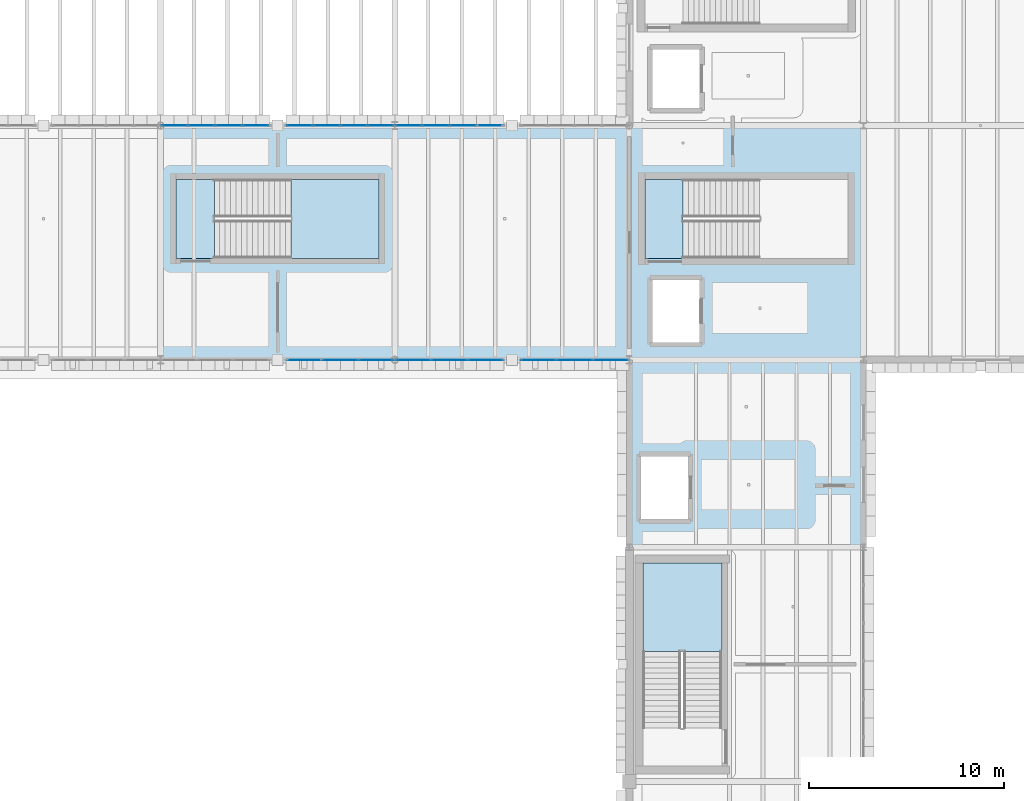
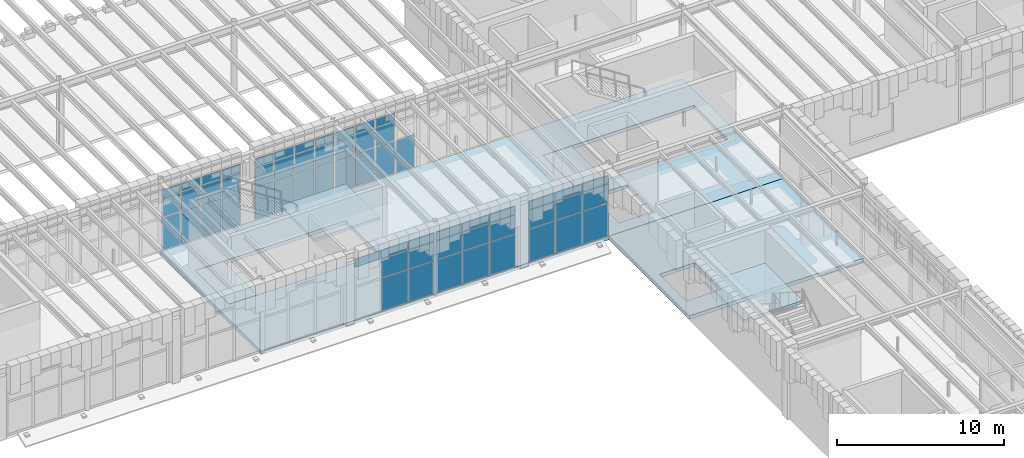
# One storey, part 52 of 100: 59 plates, 6 slabs, 8 elements without a shape of their own.
"""IFC4 building model written with IfcOpenShell, lengths in metres."""

from ifc_helpers import new_model, si_unit, direction, frame, origin, origin_2d, place, context, subcontext, project, spatial, polyline, rectangle, outline, extrude, material, layer, layer_set, type_object, element, aggregate, save


model = new_model("IFC4")

# Units and contexts
model_context = context("Model", 3, precision=1e-05, world=origin(), true_north=direction((0.0, 1.0)))
body_context = subcontext(model_context, "Body", "Model", "MODEL_VIEW")
ifc_project = project(units=[si_unit("LENGTHUNIT", "METRE"), si_unit("AREAUNIT", "SQUARE_METRE"), si_unit("VOLUMEUNIT", "CUBIC_METRE"), si_unit("PLANEANGLEUNIT", "RADIAN"), si_unit("MASSUNIT", "GRAM", prefix="KILO")], contexts=[model_context])

# Site, building, storey
site_placement = place(None, origin())
site = spatial("IfcSite", under=ifc_project, at=site_placement, CompositionType="ELEMENT")
building_placement = place(site_placement, origin())
building = spatial("IfcBuilding", under=site, at=building_placement, Name="Zlatogorsky Bluff Art Gallery", CompositionType="ELEMENT")
storey_placement = place(building_placement, frame((0.0, 0.0, 5.39990234375)))
storey = spatial("IfcBuildingStorey", under=building, at=storey_placement, Name="L01", CompositionType="ELEMENT", Elevation=5.39990234375)

# Curtain wall, plates
ifc_material_1 = material(Name="Anodised Bronze Aluminium and Low-Iron Triple Glazing", Category="aluminium")
ifc_layer_1 = layer(ifc_material_1, 0.219970703125)
ifc_layer_set_1 = layer_set([ifc_layer_1], Name="Curtain Wall CW-04")
curtain_wall_type_1 = type_object("IfcCurtainWallType", Name="Curtain Wall CW-04", PredefinedType="USERDEFINED", material=ifc_layer_set_1)
curtain_wall_1_placement = place(storey_placement, origin())
curtain_wall_1 = element("IfcCurtainWall", 1, at=curtain_wall_1_placement, inside=storey, type_object=curtain_wall_type_1, Name="Unitised curtain wall CW-04 L01 S 8.8-B", ObjectType="CURTAIN WALL", PredefinedType="USERDEFINED")
ifc_material_2 = material(Name="Low-Iron Laminated Triple Glazing", Category="glass")
ifc_layer_2 = layer(ifc_material_2, 0.035888671875)
ifc_layer_set_2 = layer_set([ifc_layer_2], Name="Glazed Curtain Panel CWP-01")
plate_type = type_object("IfcPlateType", Name="Glazed Curtain Panel CWP-01", PredefinedType="CURTAIN_PANEL", material=ifc_layer_set_2)
plate_1_placement = place(storey_placement, frame((103.3662109375, 84.0, 3.882568359375), z_axis=(0.0, 0.0, 1.0), x_axis=(1.0, 0.0, 0.0)))
plate_1 = element("IfcPlate", 2, at=plate_1_placement, type_object=plate_type, Name="CW-04 panel 1.3", PredefinedType="CURTAIN_PANEL", context=body_context, shape_type="SweptSolid", body=[
    extrude(rectangle(XDim=1.762451171875, YDim=0.035888671875, at=origin_2d()), origin(), (0.0, 0.0, 1.0), 0.58251953125),
])
plate_2_placement = place(storey_placement, frame((105.2099609375, 84.0, 0.065185546875), z_axis=(0.0, 0.0, 1.0), x_axis=(1.0, 0.0, 0.0)))
plate_2 = element("IfcPlate", 3, at=plate_2_placement, type_object=plate_type, Name="CW-04 panel 2.1", PredefinedType="CURTAIN_PANEL", context=body_context, shape_type="SweptSolid", body=[
    extrude(rectangle(XDim=1.794921875, YDim=0.035888671875, at=origin_2d()), origin(), (0.0, 0.0, 1.0), 2.3525390625),
])
plate_3_placement = place(storey_placement, frame((105.2099609375, 84.0, 2.482666015625), z_axis=(0.0, 0.0, 1.0), x_axis=(1.0, 0.0, 0.0)))
plate_3 = element("IfcPlate", 4, at=plate_3_placement, type_object=plate_type, Name="CW-04 panel 2.2", PredefinedType="CURTAIN_PANEL", context=body_context, shape_type="SweptSolid", body=[
    extrude(rectangle(XDim=1.794921875, YDim=0.035888671875, at=origin_2d()), origin(), (0.0, 0.0, 1.0), 1.3349609375),
])
plate_4_placement = place(storey_placement, frame((105.2099609375, 84.0, 3.882568359375), z_axis=(0.0, 0.0, 1.0), x_axis=(1.0, 0.0, 0.0)))
plate_4 = element("IfcPlate", 5, at=plate_4_placement, type_object=plate_type, Name="CW-04 panel 2.3", PredefinedType="CURTAIN_PANEL", context=body_context, shape_type="SweptSolid", body=[
    extrude(rectangle(XDim=1.794921875, YDim=0.035888671875, at=origin_2d()), origin(), (0.0, 0.0, 1.0), 0.58251953125),
])
plate_5_placement = place(storey_placement, frame((107.0537109375, 84.0, 0.065185546875), z_axis=(0.0, 0.0, 1.0), x_axis=(1.0, 0.0, 0.0)))
plate_5 = element("IfcPlate", 6, at=plate_5_placement, type_object=plate_type, Name="CW-04 panel 3.1", PredefinedType="CURTAIN_PANEL", context=body_context, shape_type="SweptSolid", body=[
    extrude(rectangle(XDim=1.762451171875, YDim=0.035888671875, at=origin_2d()), origin(), (0.0, 0.0, 1.0), 2.3525390625),
])
plate_6_placement = place(storey_placement, frame((107.0537109375, 84.0, 2.482666015625), z_axis=(0.0, 0.0, 1.0), x_axis=(1.0, 0.0, 0.0)))
plate_6 = element("IfcPlate", 7, at=plate_6_placement, type_object=plate_type, Name="CW-04 panel 3.2", PredefinedType="CURTAIN_PANEL", context=body_context, shape_type="SweptSolid", body=[
    extrude(rectangle(XDim=1.762451171875, YDim=0.035888671875, at=origin_2d()), origin(), (0.0, 0.0, 1.0), 1.3349609375),
])
plate_7_placement = place(storey_placement, frame((107.0537109375, 84.0, 3.882568359375), z_axis=(0.0, 0.0, 1.0), x_axis=(1.0, 0.0, 0.0)))
plate_7 = element("IfcPlate", 8, at=plate_7_placement, type_object=plate_type, Name="CW-04 panel 3.3", PredefinedType="CURTAIN_PANEL", context=body_context, shape_type="SweptSolid", body=[
    extrude(rectangle(XDim=1.762451171875, YDim=0.035888671875, at=origin_2d()), origin(), (0.0, 0.0, 1.0), 0.58251953125),
])
aggregate(curtain_wall_1, [plate_1, plate_2, plate_3, plate_4, plate_5, plate_6, plate_7])

ifc_layer_3 = layer(ifc_material_1, 0.199951171875)
ifc_layer_set_3 = layer_set([ifc_layer_3], Name="Curtain Wall CW-02")
curtain_wall_type_2 = type_object("IfcCurtainWallType", Name="Curtain Wall CW-02", PredefinedType="USERDEFINED", material=ifc_layer_set_3)
curtain_wall_2_placement = place(storey_placement, origin())
curtain_wall_2 = element("IfcCurtainWall", 9, at=curtain_wall_2_placement, inside=storey, type_object=curtain_wall_type_2, Name="Unitised curtain wall CW-02 L01 N 8.8-A", ObjectType="CURTAIN WALL", PredefinedType="USERDEFINED")
plate_8_placement = place(storey_placement, frame((107.2861328125, 96.0, 0.065185546875), z_axis=(0.0, 0.0, 1.0), x_axis=(-1.0, 0.0, 0.0)))
plate_8 = element("IfcPlate", 10, at=plate_8_placement, type_object=plate_type, Name="CW-02 panel 1.1", PredefinedType="CURTAIN_PANEL", context=body_context, shape_type="SweptSolid", body=[
    extrude(rectangle(XDim=1.297607421875, YDim=0.035888671875, at=origin_2d()), origin(), (0.0, 0.0, 1.0), 2.3525390625),
])
plate_9_placement = place(storey_placement, frame((107.2861328125, 96.0, 2.482666015625), z_axis=(0.0, 0.0, 1.0), x_axis=(-1.0, 0.0, 0.0)))
plate_9 = element("IfcPlate", 11, at=plate_9_placement, type_object=plate_type, Name="CW-02 panel 1.2", PredefinedType="CURTAIN_PANEL", context=body_context, shape_type="SweptSolid", body=[
    extrude(rectangle(XDim=1.297607421875, YDim=0.035888671875, at=origin_2d()), origin(), (0.0, 0.0, 1.0), 1.3349609375),
])
plate_10_placement = place(storey_placement, frame((107.2861328125, 96.0, 3.882568359375), z_axis=(0.0, 0.0, 1.0), x_axis=(-1.0, 0.0, 0.0)))
plate_10 = element("IfcPlate", 12, at=plate_10_placement, type_object=plate_type, Name="CW-02 panel 1.3", PredefinedType="CURTAIN_PANEL", context=body_context, shape_type="SweptSolid", body=[
    extrude(rectangle(XDim=1.297607421875, YDim=0.035888671875, at=origin_2d()), origin(), (0.0, 0.0, 1.0), 0.58251953125),
])
plate_11_placement = place(storey_placement, frame((105.907470703125, 96.0, 0.065185546875), z_axis=(0.0, 0.0, 1.0), x_axis=(-1.0, 0.0, 0.0)))
plate_11 = element("IfcPlate", 13, at=plate_11_placement, type_object=plate_type, Name="CW-02 panel 2.1", PredefinedType="CURTAIN_PANEL", context=body_context, shape_type="SweptSolid", body=[
    extrude(rectangle(XDim=1.330078125, YDim=0.035888671875, at=origin_2d()), origin(), (0.0, 0.0, 1.0), 2.3525390625),
])
plate_12_placement = place(storey_placement, frame((105.907470703125, 96.0, 2.482666015625), z_axis=(0.0, 0.0, 1.0), x_axis=(-1.0, 0.0, 0.0)))
plate_12 = element("IfcPlate", 14, at=plate_12_placement, type_object=plate_type, Name="CW-02 panel 2.2", PredefinedType="CURTAIN_PANEL", context=body_context, shape_type="SweptSolid", body=[
    extrude(rectangle(XDim=1.330078125, YDim=0.035888671875, at=origin_2d()), origin(), (0.0, 0.0, 1.0), 1.3349609375),
])
plate_13_placement = place(storey_placement, frame((105.907470703125, 96.0, 3.882568359375), z_axis=(0.0, 0.0, 1.0), x_axis=(-1.0, 0.0, 0.0)))
plate_13 = element("IfcPlate", 15, at=plate_13_placement, type_object=plate_type, Name="CW-02 panel 2.3", PredefinedType="CURTAIN_PANEL", context=body_context, shape_type="SweptSolid", body=[
    extrude(rectangle(XDim=1.330078125, YDim=0.035888671875, at=origin_2d()), origin(), (0.0, 0.0, 1.0), 0.58251953125),
])
plate_14_placement = place(storey_placement, frame((104.512451171875, 96.0, 0.065185546875), z_axis=(0.0, 0.0, 1.0), x_axis=(-1.0, 0.0, 0.0)))
plate_14 = element("IfcPlate", 16, at=plate_14_placement, type_object=plate_type, Name="CW-02 panel 3.1", PredefinedType="CURTAIN_PANEL", context=body_context, shape_type="SweptSolid", body=[
    extrude(rectangle(XDim=1.330078125, YDim=0.035888671875, at=origin_2d()), origin(), (0.0, 0.0, 1.0), 2.3525390625),
])
plate_15_placement = place(storey_placement, frame((104.512451171875, 96.0, 2.482666015625), z_axis=(0.0, 0.0, 1.0), x_axis=(-1.0, 0.0, 0.0)))
plate_15 = element("IfcPlate", 17, at=plate_15_placement, type_object=plate_type, Name="CW-02 panel 3.2", PredefinedType="CURTAIN_PANEL", context=body_context, shape_type="SweptSolid", body=[
    extrude(rectangle(XDim=1.330078125, YDim=0.035888671875, at=origin_2d()), origin(), (0.0, 0.0, 1.0), 1.3349609375),
])
plate_16_placement = place(storey_placement, frame((104.512451171875, 96.0, 3.882568359375), z_axis=(0.0, 0.0, 1.0), x_axis=(-1.0, 0.0, 0.0)))
plate_16 = element("IfcPlate", 18, at=plate_16_placement, type_object=plate_type, Name="CW-02 panel 3.3", PredefinedType="CURTAIN_PANEL", context=body_context, shape_type="SweptSolid", body=[
    extrude(rectangle(XDim=1.330078125, YDim=0.035888671875, at=origin_2d()), origin(), (0.0, 0.0, 1.0), 0.58251953125),
])
plate_17_placement = place(storey_placement, frame((103.1337890625, 96.0, 0.065185546875), z_axis=(0.0, 0.0, 1.0), x_axis=(-1.0, 0.0, 0.0)))
plate_17 = element("IfcPlate", 19, at=plate_17_placement, type_object=plate_type, Name="CW-02 panel 4.1", PredefinedType="CURTAIN_PANEL", context=body_context, shape_type="SweptSolid", body=[
    extrude(rectangle(XDim=1.297607421875, YDim=0.035888671875, at=origin_2d()), origin(), (0.0, 0.0, 1.0), 2.3525390625),
])
plate_18_placement = place(storey_placement, frame((103.1337890625, 96.0, 2.482666015625), z_axis=(0.0, 0.0, 1.0), x_axis=(-1.0, 0.0, 0.0)))
plate_18 = element("IfcPlate", 20, at=plate_18_placement, type_object=plate_type, Name="CW-02 panel 4.2", PredefinedType="CURTAIN_PANEL", context=body_context, shape_type="SweptSolid", body=[
    extrude(rectangle(XDim=1.297607421875, YDim=0.035888671875, at=origin_2d()), origin(), (0.0, 0.0, 1.0), 1.3349609375),
])
plate_19_placement = place(storey_placement, frame((103.1337890625, 96.0, 3.882568359375), z_axis=(0.0, 0.0, 1.0), x_axis=(-1.0, 0.0, 0.0)))
plate_19 = element("IfcPlate", 21, at=plate_19_placement, type_object=plate_type, Name="CW-02 panel 4.3", PredefinedType="CURTAIN_PANEL", context=body_context, shape_type="SweptSolid", body=[
    extrude(rectangle(XDim=1.297607421875, YDim=0.035888671875, at=origin_2d()), origin(), (0.0, 0.0, 1.0), 0.58251953125),
])
aggregate(curtain_wall_2, [plate_8, plate_9, plate_10, plate_11, plate_12, plate_13, plate_14, plate_15, plate_16, plate_17, plate_18, plate_19])

curtain_wall_3_placement = place(storey_placement, origin())
curtain_wall_3 = element("IfcCurtainWall", 22, at=curtain_wall_3_placement, inside=storey, type_object=curtain_wall_type_2, Name="Unitised curtain wall CW-02 L01 N 8.8-B", ObjectType="CURTAIN WALL", PredefinedType="USERDEFINED")
plate_20_placement = place(storey_placement, frame((100.8662109375, 96.0, 0.065185546875), z_axis=(0.0, 0.0, 1.0), x_axis=(-1.0, 0.0, 0.0)))
plate_20 = element("IfcPlate", 23, at=plate_20_placement, type_object=plate_type, Name="CW-02 panel 1.1", PredefinedType="CURTAIN_PANEL", context=body_context, shape_type="SweptSolid", body=[
    extrude(rectangle(XDim=1.297607421875, YDim=0.035888671875, at=origin_2d()), origin(), (0.0, 0.0, 1.0), 2.3525390625),
])
plate_21_placement = place(storey_placement, frame((100.8662109375, 96.0, 2.482666015625), z_axis=(0.0, 0.0, 1.0), x_axis=(-1.0, 0.0, 0.0)))
plate_21 = element("IfcPlate", 24, at=plate_21_placement, type_object=plate_type, Name="CW-02 panel 1.2", PredefinedType="CURTAIN_PANEL", context=body_context, shape_type="SweptSolid", body=[
    extrude(rectangle(XDim=1.297607421875, YDim=0.035888671875, at=origin_2d()), origin(), (0.0, 0.0, 1.0), 1.3349609375),
])
plate_22_placement = place(storey_placement, frame((100.8662109375, 96.0, 3.882568359375), z_axis=(0.0, 0.0, 1.0), x_axis=(-1.0, 0.0, 0.0)))
plate_22 = element("IfcPlate", 25, at=plate_22_placement, type_object=plate_type, Name="CW-02 panel 1.3", PredefinedType="CURTAIN_PANEL", context=body_context, shape_type="SweptSolid", body=[
    extrude(rectangle(XDim=1.297607421875, YDim=0.035888671875, at=origin_2d()), origin(), (0.0, 0.0, 1.0), 0.58251953125),
])
plate_23_placement = place(storey_placement, frame((99.487548828125, 96.0, 0.065185546875), z_axis=(0.0, 0.0, 1.0), x_axis=(-1.0, 0.0, 0.0)))
plate_23 = element("IfcPlate", 26, at=plate_23_placement, type_object=plate_type, Name="CW-02 panel 2.1", PredefinedType="CURTAIN_PANEL", context=body_context, shape_type="SweptSolid", body=[
    extrude(rectangle(XDim=1.330078125, YDim=0.035888671875, at=origin_2d()), origin(), (0.0, 0.0, 1.0), 2.3525390625),
])
plate_24_placement = place(storey_placement, frame((99.487548828125, 96.0, 2.482666015625), z_axis=(0.0, 0.0, 1.0), x_axis=(-1.0, 0.0, 0.0)))
plate_24 = element("IfcPlate", 27, at=plate_24_placement, type_object=plate_type, Name="CW-02 panel 2.2", PredefinedType="CURTAIN_PANEL", context=body_context, shape_type="SweptSolid", body=[
    extrude(rectangle(XDim=1.330078125, YDim=0.035888671875, at=origin_2d()), origin(), (0.0, 0.0, 1.0), 1.3349609375),
])
plate_25_placement = place(storey_placement, frame((99.487548828125, 96.0, 3.882568359375), z_axis=(0.0, 0.0, 1.0), x_axis=(-1.0, 0.0, 0.0)))
plate_25 = element("IfcPlate", 28, at=plate_25_placement, type_object=plate_type, Name="CW-02 panel 2.3", PredefinedType="CURTAIN_PANEL", context=body_context, shape_type="SweptSolid", body=[
    extrude(rectangle(XDim=1.330078125, YDim=0.035888671875, at=origin_2d()), origin(), (0.0, 0.0, 1.0), 0.58251953125),
])
plate_26_placement = place(storey_placement, frame((98.092529296875, 96.0, 0.065185546875), z_axis=(0.0, 0.0, 1.0), x_axis=(-1.0, 0.0, 0.0)))
plate_26 = element("IfcPlate", 29, at=plate_26_placement, type_object=plate_type, Name="CW-02 panel 3.1", PredefinedType="CURTAIN_PANEL", context=body_context, shape_type="SweptSolid", body=[
    extrude(rectangle(XDim=1.330078125, YDim=0.035888671875, at=origin_2d()), origin(), (0.0, 0.0, 1.0), 2.3525390625),
])
plate_27_placement = place(storey_placement, frame((98.092529296875, 96.0, 2.482666015625), z_axis=(0.0, 0.0, 1.0), x_axis=(-1.0, 0.0, 0.0)))
plate_27 = element("IfcPlate", 30, at=plate_27_placement, type_object=plate_type, Name="CW-02 panel 3.2", PredefinedType="CURTAIN_PANEL", context=body_context, shape_type="SweptSolid", body=[
    extrude(rectangle(XDim=1.330078125, YDim=0.035888671875, at=origin_2d()), origin(), (0.0, 0.0, 1.0), 1.3349609375),
])
plate_28_placement = place(storey_placement, frame((98.092529296875, 96.0, 3.882568359375), z_axis=(0.0, 0.0, 1.0), x_axis=(-1.0, 0.0, 0.0)))
plate_28 = element("IfcPlate", 31, at=plate_28_placement, type_object=plate_type, Name="CW-02 panel 3.3", PredefinedType="CURTAIN_PANEL", context=body_context, shape_type="SweptSolid", body=[
    extrude(rectangle(XDim=1.330078125, YDim=0.035888671875, at=origin_2d()), origin(), (0.0, 0.0, 1.0), 0.58251953125),
])
plate_29_placement = place(storey_placement, frame((96.7138671875, 96.0, 0.065185546875), z_axis=(0.0, 0.0, 1.0), x_axis=(-1.0, 0.0, 0.0)))
plate_29 = element("IfcPlate", 32, at=plate_29_placement, type_object=plate_type, Name="CW-02 panel 4.1", PredefinedType="CURTAIN_PANEL", context=body_context, shape_type="SweptSolid", body=[
    extrude(rectangle(XDim=1.297607421875, YDim=0.035888671875, at=origin_2d()), origin(), (0.0, 0.0, 1.0), 2.3525390625),
])
plate_30_placement = place(storey_placement, frame((96.7138671875, 96.0, 2.482666015625), z_axis=(0.0, 0.0, 1.0), x_axis=(-1.0, 0.0, 0.0)))
plate_30 = element("IfcPlate", 33, at=plate_30_placement, type_object=plate_type, Name="CW-02 panel 4.2", PredefinedType="CURTAIN_PANEL", context=body_context, shape_type="SweptSolid", body=[
    extrude(rectangle(XDim=1.297607421875, YDim=0.035888671875, at=origin_2d()), origin(), (0.0, 0.0, 1.0), 1.3349609375),
])
plate_31_placement = place(storey_placement, frame((96.7138671875, 96.0, 3.882568359375), z_axis=(0.0, 0.0, 1.0), x_axis=(-1.0, 0.0, 0.0)))
plate_31 = element("IfcPlate", 34, at=plate_31_placement, type_object=plate_type, Name="CW-02 panel 4.3", PredefinedType="CURTAIN_PANEL", context=body_context, shape_type="SweptSolid", body=[
    extrude(rectangle(XDim=1.297607421875, YDim=0.035888671875, at=origin_2d()), origin(), (0.0, 0.0, 1.0), 0.58251953125),
])
aggregate(curtain_wall_3, [plate_20, plate_21, plate_22, plate_23, plate_24, plate_25, plate_26, plate_27, plate_28, plate_29, plate_30, plate_31])

curtain_wall_4_placement = place(storey_placement, origin())
curtain_wall_4 = element("IfcCurtainWall", 35, at=curtain_wall_4_placement, inside=storey, type_object=curtain_wall_type_1, Name="Unitised curtain wall CW-04 L01 S 9.8-A", ObjectType="CURTAIN WALL", PredefinedType="USERDEFINED")
plate_32_placement = place(storey_placement, frame((108.9462890625, 84.0, 0.065185546875), z_axis=(0.0, 0.0, 1.0), x_axis=(1.0, 0.0, 0.0)))
plate_32 = element("IfcPlate", 36, at=plate_32_placement, type_object=plate_type, Name="CW-04 panel 1.1", PredefinedType="CURTAIN_PANEL", context=body_context, shape_type="SweptSolid", body=[
    extrude(rectangle(XDim=1.762451171875, YDim=0.035888671875, at=origin_2d()), origin(), (0.0, 0.0, 1.0), 2.3525390625),
])
plate_33_placement = place(storey_placement, frame((108.9462890625, 84.0, 2.482666015625), z_axis=(0.0, 0.0, 1.0), x_axis=(1.0, 0.0, 0.0)))
plate_33 = element("IfcPlate", 37, at=plate_33_placement, type_object=plate_type, Name="CW-04 panel 1.2", PredefinedType="CURTAIN_PANEL", context=body_context, shape_type="SweptSolid", body=[
    extrude(rectangle(XDim=1.762451171875, YDim=0.035888671875, at=origin_2d()), origin(), (0.0, 0.0, 1.0), 1.3349609375),
])
plate_34_placement = place(storey_placement, frame((108.9462890625, 84.0, 3.882568359375), z_axis=(0.0, 0.0, 1.0), x_axis=(1.0, 0.0, 0.0)))
plate_34 = element("IfcPlate", 38, at=plate_34_placement, type_object=plate_type, Name="CW-04 panel 1.3", PredefinedType="CURTAIN_PANEL", context=body_context, shape_type="SweptSolid", body=[
    extrude(rectangle(XDim=1.762451171875, YDim=0.035888671875, at=origin_2d()), origin(), (0.0, 0.0, 1.0), 0.58251953125),
])
plate_35_placement = place(storey_placement, frame((110.7900390625, 84.0, 0.065185546875), z_axis=(0.0, 0.0, 1.0), x_axis=(1.0, 0.0, 0.0)))
plate_35 = element("IfcPlate", 39, at=plate_35_placement, type_object=plate_type, Name="CW-04 panel 2.1", PredefinedType="CURTAIN_PANEL", context=body_context, shape_type="SweptSolid", body=[
    extrude(rectangle(XDim=1.794921875, YDim=0.035888671875, at=origin_2d()), origin(), (0.0, 0.0, 1.0), 2.3525390625),
])
plate_36_placement = place(storey_placement, frame((110.7900390625, 84.0, 2.482666015625), z_axis=(0.0, 0.0, 1.0), x_axis=(1.0, 0.0, 0.0)))
plate_36 = element("IfcPlate", 40, at=plate_36_placement, type_object=plate_type, Name="CW-04 panel 2.2", PredefinedType="CURTAIN_PANEL", context=body_context, shape_type="SweptSolid", body=[
    extrude(rectangle(XDim=1.794921875, YDim=0.035888671875, at=origin_2d()), origin(), (0.0, 0.0, 1.0), 1.3349609375),
])
plate_37_placement = place(storey_placement, frame((110.7900390625, 84.0, 3.882568359375), z_axis=(0.0, 0.0, 1.0), x_axis=(1.0, 0.0, 0.0)))
plate_37 = element("IfcPlate", 41, at=plate_37_placement, type_object=plate_type, Name="CW-04 panel 2.3", PredefinedType="CURTAIN_PANEL", context=body_context, shape_type="SweptSolid", body=[
    extrude(rectangle(XDim=1.794921875, YDim=0.035888671875, at=origin_2d()), origin(), (0.0, 0.0, 1.0), 0.58251953125),
])
plate_38_placement = place(storey_placement, frame((112.6337890625, 84.0, 0.065185546875), z_axis=(0.0, 0.0, 1.0), x_axis=(1.0, 0.0, 0.0)))
plate_38 = element("IfcPlate", 42, at=plate_38_placement, type_object=plate_type, Name="CW-04 panel 3.1", PredefinedType="CURTAIN_PANEL", context=body_context, shape_type="SweptSolid", body=[
    extrude(rectangle(XDim=1.762451171875, YDim=0.035888671875, at=origin_2d()), origin(), (0.0, 0.0, 1.0), 2.3525390625),
])
plate_39_placement = place(storey_placement, frame((112.6337890625, 84.0, 2.482666015625), z_axis=(0.0, 0.0, 1.0), x_axis=(1.0, 0.0, 0.0)))
plate_39 = element("IfcPlate", 43, at=plate_39_placement, type_object=plate_type, Name="CW-04 panel 3.2", PredefinedType="CURTAIN_PANEL", context=body_context, shape_type="SweptSolid", body=[
    extrude(rectangle(XDim=1.762451171875, YDim=0.035888671875, at=origin_2d()), origin(), (0.0, 0.0, 1.0), 1.3349609375),
])
plate_40_placement = place(storey_placement, frame((112.6337890625, 84.0, 3.882568359375), z_axis=(0.0, 0.0, 1.0), x_axis=(1.0, 0.0, 0.0)))
plate_40 = element("IfcPlate", 44, at=plate_40_placement, type_object=plate_type, Name="CW-04 panel 3.3", PredefinedType="CURTAIN_PANEL", context=body_context, shape_type="SweptSolid", body=[
    extrude(rectangle(XDim=1.762451171875, YDim=0.035888671875, at=origin_2d()), origin(), (0.0, 0.0, 1.0), 0.58251953125),
])
aggregate(curtain_wall_4, [plate_32, plate_33, plate_34, plate_35, plate_36, plate_37, plate_38, plate_39, plate_40])

curtain_wall_5_placement = place(storey_placement, origin())
curtain_wall_5 = element("IfcCurtainWall", 45, at=curtain_wall_5_placement, inside=storey, type_object=curtain_wall_type_1, Name="Unitised curtain wall CW-04 L01 S 9.8-B", ObjectType="CURTAIN WALL", PredefinedType="USERDEFINED")
plate_41_placement = place(storey_placement, frame((115.3662109375, 84.0, 0.065185546875), z_axis=(0.0, 0.0, 1.0), x_axis=(1.0, 0.0, 0.0)))
plate_41 = element("IfcPlate", 46, at=plate_41_placement, type_object=plate_type, Name="CW-04 panel 1.1", PredefinedType="CURTAIN_PANEL", context=body_context, shape_type="SweptSolid", body=[
    extrude(rectangle(XDim=1.762451171875, YDim=0.035888671875, at=origin_2d()), origin(), (0.0, 0.0, 1.0), 2.3525390625),
])
plate_42_placement = place(storey_placement, frame((115.3662109375, 84.0, 2.482666015625), z_axis=(0.0, 0.0, 1.0), x_axis=(1.0, 0.0, 0.0)))
plate_42 = element("IfcPlate", 47, at=plate_42_placement, type_object=plate_type, Name="CW-04 panel 1.2", PredefinedType="CURTAIN_PANEL", context=body_context, shape_type="SweptSolid", body=[
    extrude(rectangle(XDim=1.762451171875, YDim=0.035888671875, at=origin_2d()), origin(), (0.0, 0.0, 1.0), 1.3349609375),
])
plate_43_placement = place(storey_placement, frame((115.3662109375, 84.0, 3.882568359375), z_axis=(0.0, 0.0, 1.0), x_axis=(1.0, 0.0, 0.0)))
plate_43 = element("IfcPlate", 48, at=plate_43_placement, type_object=plate_type, Name="CW-04 panel 1.3", PredefinedType="CURTAIN_PANEL", context=body_context, shape_type="SweptSolid", body=[
    extrude(rectangle(XDim=1.762451171875, YDim=0.035888671875, at=origin_2d()), origin(), (0.0, 0.0, 1.0), 0.58251953125),
])
plate_44_placement = place(storey_placement, frame((117.2099609375, 84.0, 0.065185546875), z_axis=(0.0, 0.0, 1.0), x_axis=(1.0, 0.0, 0.0)))
plate_44 = element("IfcPlate", 49, at=plate_44_placement, type_object=plate_type, Name="CW-04 panel 2.1", PredefinedType="CURTAIN_PANEL", context=body_context, shape_type="SweptSolid", body=[
    extrude(rectangle(XDim=1.794921875, YDim=0.035888671875, at=origin_2d()), origin(), (0.0, 0.0, 1.0), 2.3525390625),
])
plate_45_placement = place(storey_placement, frame((117.2099609375, 84.0, 2.482666015625), z_axis=(0.0, 0.0, 1.0), x_axis=(1.0, 0.0, 0.0)))
plate_45 = element("IfcPlate", 50, at=plate_45_placement, type_object=plate_type, Name="CW-04 panel 2.2", PredefinedType="CURTAIN_PANEL", context=body_context, shape_type="SweptSolid", body=[
    extrude(rectangle(XDim=1.794921875, YDim=0.035888671875, at=origin_2d()), origin(), (0.0, 0.0, 1.0), 1.3349609375),
])
plate_46_placement = place(storey_placement, frame((117.2099609375, 84.0, 3.882568359375), z_axis=(0.0, 0.0, 1.0), x_axis=(1.0, 0.0, 0.0)))
plate_46 = element("IfcPlate", 51, at=plate_46_placement, type_object=plate_type, Name="CW-04 panel 2.3", PredefinedType="CURTAIN_PANEL", context=body_context, shape_type="SweptSolid", body=[
    extrude(rectangle(XDim=1.794921875, YDim=0.035888671875, at=origin_2d()), origin(), (0.0, 0.0, 1.0), 0.58251953125),
])
plate_47_placement = place(storey_placement, frame((119.0537109375, 84.0, 0.065185546875), z_axis=(0.0, 0.0, 1.0), x_axis=(1.0, 0.0, 0.0)))
plate_47 = element("IfcPlate", 52, at=plate_47_placement, type_object=plate_type, Name="CW-04 panel 3.1", PredefinedType="CURTAIN_PANEL", context=body_context, shape_type="SweptSolid", body=[
    extrude(rectangle(XDim=1.762451171875, YDim=0.035888671875, at=origin_2d()), origin(), (0.0, 0.0, 1.0), 2.3525390625),
])
plate_48_placement = place(storey_placement, frame((119.0537109375, 84.0, 2.482666015625), z_axis=(0.0, 0.0, 1.0), x_axis=(1.0, 0.0, 0.0)))
plate_48 = element("IfcPlate", 53, at=plate_48_placement, type_object=plate_type, Name="CW-04 panel 3.2", PredefinedType="CURTAIN_PANEL", context=body_context, shape_type="SweptSolid", body=[
    extrude(rectangle(XDim=1.762451171875, YDim=0.035888671875, at=origin_2d()), origin(), (0.0, 0.0, 1.0), 1.3349609375),
])
plate_49_placement = place(storey_placement, frame((119.0537109375, 84.0, 3.882568359375), z_axis=(0.0, 0.0, 1.0), x_axis=(1.0, 0.0, 0.0)))
plate_49 = element("IfcPlate", 54, at=plate_49_placement, type_object=plate_type, Name="CW-04 panel 3.3", PredefinedType="CURTAIN_PANEL", context=body_context, shape_type="SweptSolid", body=[
    extrude(rectangle(XDim=1.762451171875, YDim=0.035888671875, at=origin_2d()), origin(), (0.0, 0.0, 1.0), 0.58251953125),
])
aggregate(curtain_wall_5, [plate_41, plate_42, plate_43, plate_44, plate_45, plate_46, plate_47, plate_48, plate_49])

curtain_wall_6_placement = place(storey_placement, origin())
curtain_wall_6 = element("IfcCurtainWall", 55, at=curtain_wall_6_placement, inside=storey, type_object=curtain_wall_type_2, Name="Unitised curtain wall CW-02 L01 N 9.8-B", ObjectType="CURTAIN WALL", PredefinedType="USERDEFINED")
plate_50_placement = place(storey_placement, frame((112.8662109375, 96.0, 0.065185546875), z_axis=(0.0, 0.0, 1.0), x_axis=(-1.0, 0.0, 0.0)))
plate_50 = element("IfcPlate", 56, at=plate_50_placement, type_object=plate_type, Name="CW-02 panel 1.1", PredefinedType="CURTAIN_PANEL", context=body_context, shape_type="SweptSolid", body=[
    extrude(rectangle(XDim=1.297607421875, YDim=0.035888671875, at=origin_2d()), origin(), (0.0, 0.0, 1.0), 2.3525390625),
])
plate_51_placement = place(storey_placement, frame((111.487548828125, 96.0, 0.065185546875), z_axis=(0.0, 0.0, 1.0), x_axis=(-1.0, 0.0, 0.0)))
plate_51 = element("IfcPlate", 57, at=plate_51_placement, type_object=plate_type, Name="CW-02 panel 2.1", PredefinedType="CURTAIN_PANEL", context=body_context, shape_type="SweptSolid", body=[
    extrude(rectangle(XDim=1.330078125, YDim=0.035888671875, at=origin_2d()), origin(), (0.0, 0.0, 1.0), 2.3525390625),
])
plate_52_placement = place(storey_placement, frame((111.487548828125, 96.0, 2.482666015625), z_axis=(0.0, 0.0, 1.0), x_axis=(-1.0, 0.0, 0.0)))
plate_52 = element("IfcPlate", 58, at=plate_52_placement, type_object=plate_type, Name="CW-02 panel 2.2", PredefinedType="CURTAIN_PANEL", context=body_context, shape_type="SweptSolid", body=[
    extrude(rectangle(XDim=1.330078125, YDim=0.035888671875, at=origin_2d()), origin(), (0.0, 0.0, 1.0), 1.3349609375),
])
plate_53_placement = place(storey_placement, frame((111.487548828125, 96.0, 3.882568359375), z_axis=(0.0, 0.0, 1.0), x_axis=(-1.0, 0.0, 0.0)))
plate_53 = element("IfcPlate", 59, at=plate_53_placement, type_object=plate_type, Name="CW-02 panel 2.3", PredefinedType="CURTAIN_PANEL", context=body_context, shape_type="SweptSolid", body=[
    extrude(rectangle(XDim=1.330078125, YDim=0.035888671875, at=origin_2d()), origin(), (0.0, 0.0, 1.0), 0.58251953125),
])
plate_54_placement = place(storey_placement, frame((110.092529296875, 96.0, 0.065185546875), z_axis=(0.0, 0.0, 1.0), x_axis=(-1.0, 0.0, 0.0)))
plate_54 = element("IfcPlate", 60, at=plate_54_placement, type_object=plate_type, Name="CW-02 panel 3.1", PredefinedType="CURTAIN_PANEL", context=body_context, shape_type="SweptSolid", body=[
    extrude(rectangle(XDim=1.330078125, YDim=0.035888671875, at=origin_2d()), origin(), (0.0, 0.0, 1.0), 2.3525390625),
])
plate_55_placement = place(storey_placement, frame((110.092529296875, 96.0, 2.482666015625), z_axis=(0.0, 0.0, 1.0), x_axis=(-1.0, 0.0, 0.0)))
plate_55 = element("IfcPlate", 61, at=plate_55_placement, type_object=plate_type, Name="CW-02 panel 3.2", PredefinedType="CURTAIN_PANEL", context=body_context, shape_type="SweptSolid", body=[
    extrude(rectangle(XDim=1.330078125, YDim=0.035888671875, at=origin_2d()), origin(), (0.0, 0.0, 1.0), 1.3349609375),
])
plate_56_placement = place(storey_placement, frame((110.092529296875, 96.0, 3.882568359375), z_axis=(0.0, 0.0, 1.0), x_axis=(-1.0, 0.0, 0.0)))
plate_56 = element("IfcPlate", 62, at=plate_56_placement, type_object=plate_type, Name="CW-02 panel 3.3", PredefinedType="CURTAIN_PANEL", context=body_context, shape_type="SweptSolid", body=[
    extrude(rectangle(XDim=1.330078125, YDim=0.035888671875, at=origin_2d()), origin(), (0.0, 0.0, 1.0), 0.58251953125),
])
plate_57_placement = place(storey_placement, frame((108.7138671875, 96.0, 0.065185546875), z_axis=(0.0, 0.0, 1.0), x_axis=(-1.0, 0.0, 0.0)))
plate_57 = element("IfcPlate", 63, at=plate_57_placement, type_object=plate_type, Name="CW-02 panel 4.1", PredefinedType="CURTAIN_PANEL", context=body_context, shape_type="SweptSolid", body=[
    extrude(rectangle(XDim=1.297607421875, YDim=0.035888671875, at=origin_2d()), origin(), (0.0, 0.0, 1.0), 2.3525390625),
])
plate_58_placement = place(storey_placement, frame((108.7138671875, 96.0, 2.482666015625), z_axis=(0.0, 0.0, 1.0), x_axis=(-1.0, 0.0, 0.0)))
plate_58 = element("IfcPlate", 64, at=plate_58_placement, type_object=plate_type, Name="CW-02 panel 4.2", PredefinedType="CURTAIN_PANEL", context=body_context, shape_type="SweptSolid", body=[
    extrude(rectangle(XDim=1.297607421875, YDim=0.035888671875, at=origin_2d()), origin(), (0.0, 0.0, 1.0), 1.3349609375),
])
plate_59_placement = place(storey_placement, frame((108.7138671875, 96.0, 3.882568359375), z_axis=(0.0, 0.0, 1.0), x_axis=(-1.0, 0.0, 0.0)))
plate_59 = element("IfcPlate", 65, at=plate_59_placement, type_object=plate_type, Name="CW-02 panel 4.3", PredefinedType="CURTAIN_PANEL", context=body_context, shape_type="SweptSolid", body=[
    extrude(rectangle(XDim=1.297607421875, YDim=0.035888671875, at=origin_2d()), origin(), (0.0, 0.0, 1.0), 0.58251953125),
])
aggregate(curtain_wall_6, [plate_50, plate_51, plate_52, plate_53, plate_54, plate_55, plate_56, plate_57, plate_58, plate_59])

# Slabs
ifc_material_3 = material(Name="Concrete C30/37", Category="concrete")
ifc_layer_4 = layer(ifc_material_3, 0.260009765625)
ifc_layer_set_4 = layer_set([ifc_layer_4], Name="Slab SL-01 260mm")
slab_type_1 = type_object("IfcSlabType", Name="Slab SL-01 260mm", PredefinedType="FLOOR", material=ifc_layer_set_4)
slab_1_placement = place(storey_placement, frame((0.0, 0.0, -0.260009765625)))
element("IfcSlab", 66, at=slab_1_placement, inside=storey, type_object=slab_type_1, Name="L01 structural floor slab panel 09", PredefinedType="FLOOR", context=body_context, shape_type="SweptSolid", body=[
    extrude(outline(polyline([(96.0, 96.0), (108.0, 96.0), (120.0, 96.0), (132.0, 96.0), (132.0, 84.0), (120.0, 84.0), (108.0, 84.0), (96.0, 84.0), (96.0, 96.0)]), holes=[polyline([(123.60009765625, 88.10009765625), (121.199951171875, 88.10009765625), (121.199951171875, 84.89990234375), (123.60009765625, 84.89990234375), (123.60009765625, 88.10009765625)]), polyline([(107.199951171875, 89.199951171875), (107.199951171875, 93.25), (96.800048828125, 93.25), (96.800048828125, 89.199951171875), (107.199951171875, 89.199951171875)]), polyline([(131.199951171875, 89.199951171875), (131.199951171875, 93.25), (120.800048828125, 93.25), (120.800048828125, 89.199951171875), (131.199951171875, 89.199951171875)])]), origin(), (0.0, 0.0, 1.0), 0.260009765625),
])
slab_2_placement = place(storey_placement, frame((0.0, 0.0, -0.260009765625)))
element("IfcSlab", 67, at=slab_2_placement, inside=storey, type_object=slab_type_1, Name="L01 structural floor slab panel 11", PredefinedType="FLOOR", context=body_context, shape_type="SweptSolid", body=[
    extrude(outline(polyline([(120.0, 74.39990234375), (120.0, 84.0), (132.0, 84.0), (132.0, 74.39990234375), (120.0, 74.39990234375)]), holes=[polyline([(123.02001953125, 79.050048828125), (120.6201171875, 79.050048828125), (120.6201171875, 75.85009765625), (123.02001953125, 75.85009765625), (123.02001953125, 79.050048828125)])]), origin(), (0.0, 0.0, 1.0), 0.260009765625),
])
slab_3_placement = place(storey_placement, frame((0.0, 0.0, -0.260009765625)))
element("IfcSlab", 68, at=slab_3_placement, inside=storey, type_object=slab_type_1, Name="L01 stair ST-01 structural floor landing slab", PredefinedType="FLOOR", context=body_context, shape_type="SweptSolid", body=[
    extrude(outline(polyline([(96.800048828125, 89.199951171875), (98.75, 89.199951171875), (98.75, 93.25), (96.800048828125, 93.25), (96.800048828125, 89.199951171875)])), origin(), (0.0, 0.0, 1.0), 0.260009765625),
])
slab_4_placement = place(storey_placement, frame((0.0, 0.0, -0.260009765625)))
element("IfcSlab", 69, at=slab_4_placement, inside=storey, type_object=slab_type_1, Name="L01 stair ST-02 structural floor landing slab", PredefinedType="FLOOR", context=body_context, shape_type="SweptSolid", body=[
    extrude(outline(polyline([(120.800048828125, 89.199951171875), (122.75, 89.199951171875), (122.75, 93.25), (120.800048828125, 93.25), (120.800048828125, 89.199951171875)])), origin(), (0.0, 0.0, 1.0), 0.260009765625),
])

# Stair, slab
stair_type = type_object("IfcStairType", Name="Protected Dogleg Stair ST-T3", PredefinedType="HALF_TURN_STAIR", material=ifc_material_3)
stair_1_placement = place(storey_placement, origin())
stair_1 = element("IfcStair", 70, at=stair_1_placement, inside=storey, type_object=stair_type, Name="L01 Protected Exit Stair ST-01", PredefinedType="HALF_TURN_STAIR")
ifc_layer_5 = layer(ifc_material_3, 0.199951171875)
ifc_layer_set_5 = layer_set([ifc_layer_5], Name="Stair Half-Landing 200mm")
slab_type_2 = type_object("IfcSlabType", Name="Stair Half-Landing 200mm", PredefinedType="LANDING", material=ifc_layer_set_5)
slab_5_placement = place(storey_placement, frame((0.0, 0.0, 2.5)))
slab_5 = element("IfcSlab", 71, at=slab_5_placement, type_object=slab_type_2, Name="ST-01 landing 1", PredefinedType="LANDING", context=body_context, shape_type="SweptSolid", body=[
    extrude(outline(polyline([(102.669921875, 89.199951171875), (107.199951171875, 89.199951171875), (107.199951171875, 93.25), (102.669921875, 93.25), (102.669921875, 89.199951171875)])), origin(), (0.0, 0.0, 1.0), 0.2001953125),
])
aggregate(stair_1, [slab_5])

stair_2_placement = place(storey_placement, origin())
stair_2 = element("IfcStair", 72, at=stair_2_placement, inside=storey, type_object=stair_type, Name="L01 Protected Exit Stair ST-06", PredefinedType="HALF_TURN_STAIR")
slab_6_placement = place(storey_placement, frame((0.0, 0.0, 2.5)))
slab_6 = element("IfcSlab", 73, at=slab_6_placement, type_object=slab_type_2, Name="ST-06 landing 1", PredefinedType="LANDING", context=body_context, shape_type="SweptSolid", body=[
    extrude(outline(polyline([(124.75, 69.070068359375), (124.75, 73.60009765625), (120.699951171875, 73.60009765625), (120.699951171875, 69.070068359375), (124.75, 69.070068359375)])), origin(), (0.0, 0.0, 1.0), 0.2001953125),
])
aggregate(stair_2, [slab_6])

save(model, "model.ifc")
